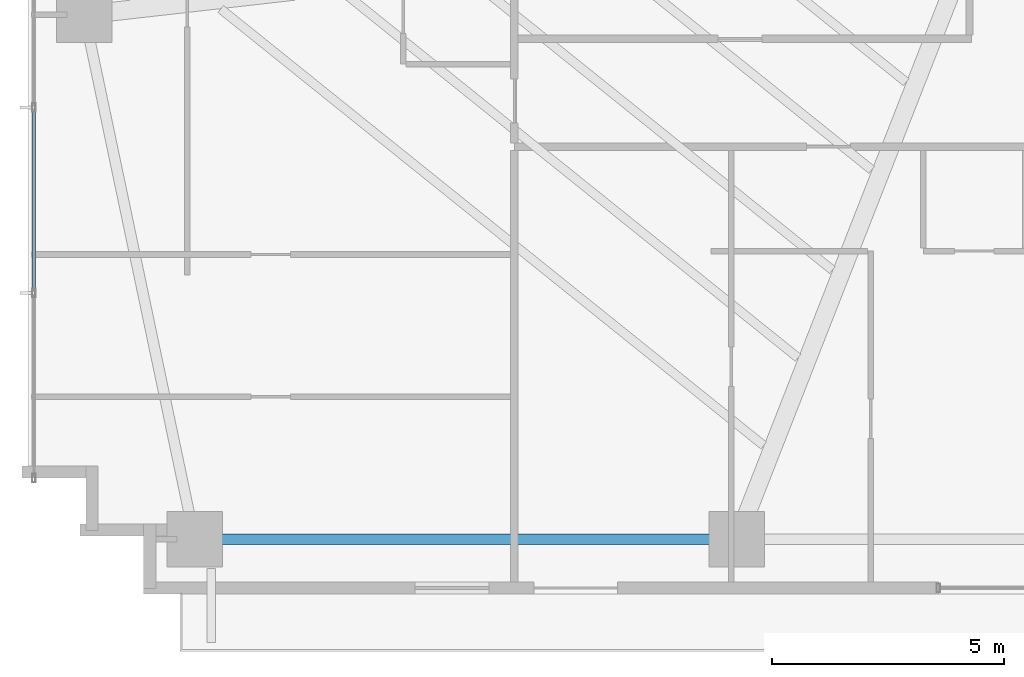
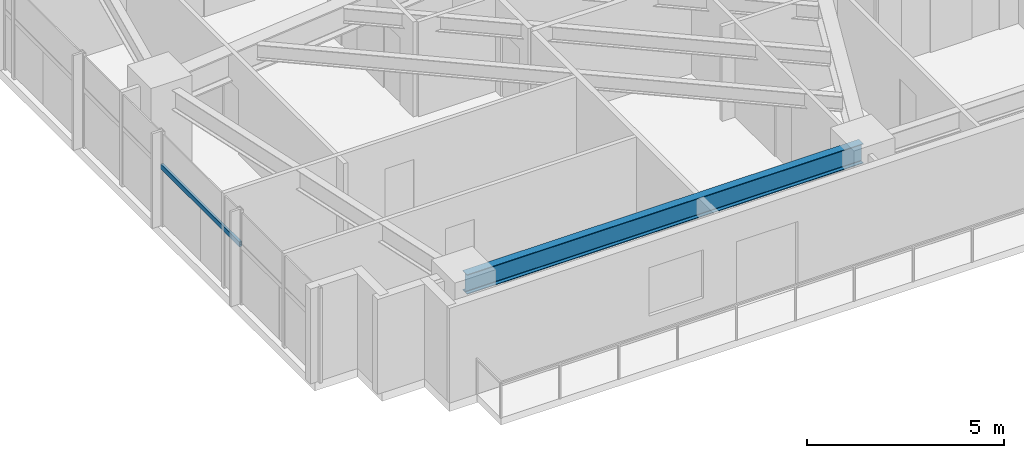
# One storey, part 3 of 25: 1 beam, 1 member, 1 element without a shape of its own.
"""IFC4 building model written with IfcOpenShell, lengths in metres."""

from ifc_helpers import new_model, si_unit, direction, frame, origin, origin_2d, place, context, subcontext, project, spatial, hollow_rectangle, i_section, extrude, source, transform, mapped, material, material_profile, profile_set, type_object, type_shapes, element, aggregate, save


model = new_model("IFC4")

# Units and contexts
model_context = context("Model", 3, precision=1e-05, world=origin(), true_north=direction((0.0, 1.0)))
body_context = subcontext(model_context, "Body", "Model", "MODEL_VIEW")
ifc_project = project(units=[si_unit("LENGTHUNIT", "METRE"), si_unit("AREAUNIT", "SQUARE_METRE"), si_unit("VOLUMEUNIT", "CUBIC_METRE"), si_unit("PLANEANGLEUNIT", "RADIAN"), si_unit("MASSUNIT", "GRAM", prefix="KILO")], contexts=[model_context])

# Site, building, storey
site_placement = place(None, origin())
site = spatial("IfcSite", under=ifc_project, at=site_placement, CompositionType="ELEMENT")
building_placement = place(site_placement, origin())
building = spatial("IfcBuilding", under=site, at=building_placement, Name="Astriad Promenade Condominiums", CompositionType="ELEMENT")
storey_placement = place(building_placement, frame((0.0, 0.0, 55.0)))
storey = spatial("IfcBuildingStorey", under=building, at=storey_placement, Name="L15", CompositionType="ELEMENT", Elevation=55.0)

# Beam
ifc_material_1 = material(Name="Steel ASTM A992 Grade 50", Category="steel")
ifc_material_profile_1 = material_profile(ifc_material_1, i_section(OverallWidth=0.22900390625, OverallDepth=0.612060546875, WebThickness=0.011962890625, FlangeThickness=0.01953125, FilletRadius=0.017822265625, at=origin_2d()), Name="W24X84")
ifc_profile_set_1 = profile_set([ifc_material_profile_1], Name="Steel ASTM A992 Grade 50")
beam_type = type_object("IfcBeamType", Name="STEEL SPANDREL BEAM W24X84", PredefinedType="SPANDREL", material=ifc_profile_set_1)
shared_shape_1 = source(origin(), body_context, "Body", "SweptSolid", [
    extrude(i_section(OverallWidth=0.22900390625, OverallDepth=0.612060546875, WebThickness=0.011962890625, FlangeThickness=0.01953125, FilletRadius=0.017822265625, at=origin_2d()), origin(), (0.0, 0.0, 1.0), 11.6201171875),
])
type_shapes(beam_type, [shared_shape_1])
beam_placement = place(storey_placement, frame((9.43994140625, 3.8798828125, 2.6337890625), z_axis=(1.0, 0.0, 0.0), x_axis=(0.0, 1.0, 0.0)))
element("IfcBeam", 1, at=beam_placement, inside=storey, type_object=beam_type, Name="Perimeter Spandrel Beam SP-S1-L15", PredefinedType="SPANDREL", context=body_context, shape_type="MappedRepresentation", body=[
    mapped(shared_shape_1, transform((0.0, 0.0, 0.0), scale=1.0)),
])

# Curtain wall, member
ifc_material_2 = material(Name="Anodised aluminium Black Dark Glass Unitised", Category="aluminium")
curtain_wall_type = type_object("IfcCurtainWallType", Name="CW-B1-DARK", PredefinedType="USERDEFINED", material=ifc_material_2)
curtain_wall_placement = place(storey_placement, origin())
curtain_wall = element("IfcCurtainWall", 2, at=curtain_wall_placement, inside=storey, type_object=curtain_wall_type, Name="CW-L15-W", ObjectType="UNITISED_CURTAIN_WALL", PredefinedType="USERDEFINED")
ifc_material_3 = material(Name="Anodised aluminium 6063-T6 Black", Category="aluminium")
ifc_material_profile_2 = material_profile(ifc_material_3, hollow_rectangle(XDim=0.074951171875, YDim=0.14990234375, WallThickness=0.004150390625, at=origin_2d()), Name="ALU-TRN-75X150")
ifc_profile_set_2 = profile_set([ifc_material_profile_2], Name="Anodised aluminium 6063-T6 Black")
member_type = type_object("IfcMemberType", Name="TRN-ALU-TRN-75X150", PredefinedType="USERDEFINED", material=ifc_profile_set_2)
shared_shape_2 = source(origin(), body_context, "Body", "SweptSolid", [
    extrude(hollow_rectangle(XDim=0.074951171875, YDim=0.14990234375, WallThickness=0.004150390625, at=origin_2d()), origin(), (0.0, 0.0, 1.0), 4.0),
])
type_shapes(member_type, [shared_shape_2])
member_placement = place(storey_placement, frame((5.929931640625, 9.199951171875, 1.82275390625), z_axis=(0.0, 1.0, 0.0), x_axis=(-1.0, 0.0, 0.0)))
member = element("IfcMember", 3, at=member_placement, type_object=member_type, Name="CW-L15-W-TRN-01-0", ObjectType="TRANSOM", PredefinedType="USERDEFINED", context=body_context, shape_type="MappedRepresentation", body=[
    mapped(shared_shape_2, transform((0.0, 0.0, 0.0), scale=1.0)),
])
aggregate(curtain_wall, [member])

save(model, "model.ifc")
